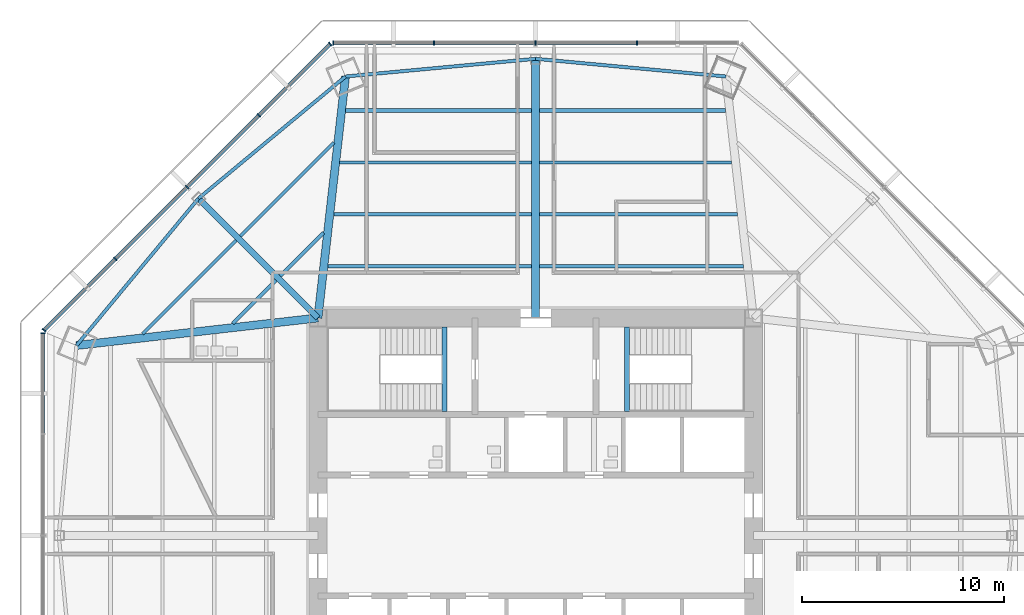
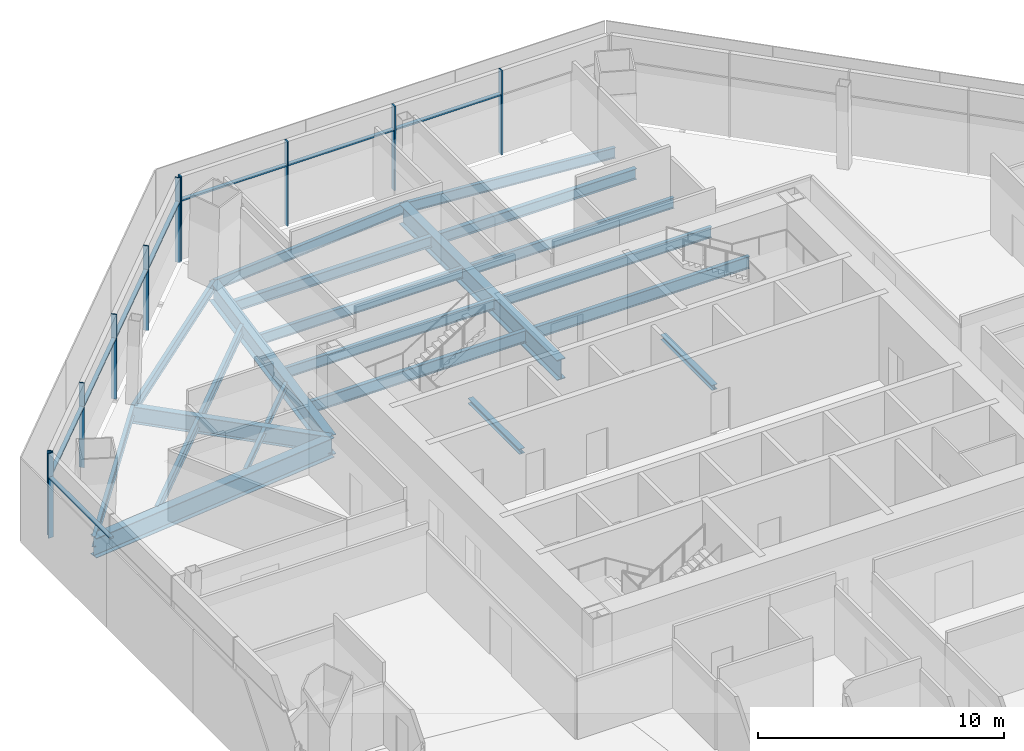
# One storey, part 5 of 15: 22 beams, 18 members, 3 elements without a shape of their own.
"""IFC4 building model written with IfcOpenShell, lengths in metres."""

from ifc_helpers import new_model, si_unit, direction, frame, origin, origin_2d, place, context, subcontext, project, spatial, rectangle, i_section, extrude, source, transform, mapped, material, material_profile, profile_set, type_object, type_shapes, element, aggregate, save


model = new_model("IFC4")

# Units and contexts
model_context = context("Model", 3, precision=1e-05, world=origin(), true_north=direction((0.0, 1.0)))
body_context = subcontext(model_context, "Body", "Model", "MODEL_VIEW")
ifc_project = project(units=[si_unit("LENGTHUNIT", "METRE"), si_unit("AREAUNIT", "SQUARE_METRE"), si_unit("VOLUMEUNIT", "CUBIC_METRE"), si_unit("PLANEANGLEUNIT", "RADIAN"), si_unit("MASSUNIT", "GRAM", prefix="KILO")], contexts=[model_context])

# Site, building, storey
site_placement = place(None, origin())
site = spatial("IfcSite", under=ifc_project, at=site_placement, CompositionType="ELEMENT")
building_placement = place(site_placement, origin())
building = spatial("IfcBuilding", under=site, at=building_placement, Name="Mashrafa Tower", CompositionType="ELEMENT")
storey_placement = place(building_placement, frame((0.0, 0.0, 126.0)))
storey = spatial("IfcBuildingStorey", under=building, at=storey_placement, Name="L28", CompositionType="ELEMENT", Elevation=126.0)

# Beams
ifc_material_1 = material(Name="Steel ASTM A992", Category="steel")
ifc_material_profile_1 = material_profile(ifc_material_1, i_section(OverallWidth=0.164794921875, OverallDepth=0.309814453125, WebThickness=0.005859375, FlangeThickness=0.009765625, FilletRadius=0.007568359375, at=origin_2d()), Name="W12X26")
ifc_profile_set_1 = profile_set([ifc_material_profile_1], Name="Steel ASTM A992")
beam_type_1 = type_object("IfcBeamType", Name="Beam W12X26", PredefinedType="BEAM", material=ifc_profile_set_1)
for number, where, z_axis, x_axis, name in (
    (1, (-15.031494140625, 10.51953125, -0.31982421875), (0.707106781187, 0.707106781187, 0.0), (-0.707106781187, 0.707106781187, 0.0), "Floor beam L28 008"),
    (2, (-12.672119140625, 12.87890625, -0.31982421875), (0.707106781187, 0.707106781187, 0.0), (-0.707106781187, 0.707106781187, 0.0), "Floor beam L28 014"),
):
    element("IfcBeam", number, at=place(storey_placement, frame(where, z_axis=z_axis, x_axis=x_axis)), inside=storey, type_object=beam_type_1, Name=name, PredefinedType="BEAM", context=body_context, shape_type="SweptSolid", body=[
        extrude(i_section(OverallWidth=0.164794921875, OverallDepth=0.309814453125, WebThickness=0.005859375, FlangeThickness=0.009765625, FilletRadius=0.007568359375, at=origin_2d()), origin(), (0.0, 0.0, 1.0), 3.044189453125),
    ])
ifc_material_2 = material(Name="Steel ASTM A992", Category="steel")
ifc_material_profile_2 = material_profile(ifc_material_2, i_section(OverallWidth=0.1650390625, OverallDepth=0.52587890625, WebThickness=0.0087890625, FlangeThickness=0.011474609375, FilletRadius=0.0126953125, at=origin_2d()), Name="W21X44")
ifc_profile_set_2 = profile_set([ifc_material_profile_2], Name="Steel ASTM A992")
beam_type_2 = type_object("IfcBeamType", Name="Beam W21X44", PredefinedType="BEAM", material=ifc_profile_set_2)
for number, where, z_axis, x_axis, name in (
    (3, (-19.4912109375, 10.010986328125, -0.427978515625), (0.707106781187, 0.707106781187, 0.0), (-0.707106781187, 0.707106781187, 0.0), "Floor beam L28 003"),
    (4, (-14.647705078125, 14.8544921875, -0.427978515625), (0.707106781187, 0.707106781187, 0.0), (-0.707106781187, 0.707106781187, 0.0), "Floor beam L28 010"),
):
    element("IfcBeam", number, at=place(storey_placement, frame(where, z_axis=z_axis, x_axis=x_axis)), inside=storey, type_object=beam_type_2, Name=name, PredefinedType="BEAM", context=body_context, shape_type="SweptSolid", body=[
        extrude(i_section(OverallWidth=0.1650390625, OverallDepth=0.52587890625, WebThickness=0.0087890625, FlangeThickness=0.011474609375, FilletRadius=0.0126953125, at=origin_2d()), origin(), (0.0, 0.0, 1.0), 6.557373046875),
    ])
beam_1_placement = place(storey_placement, frame((-10.01171875, 15.94189453125, -0.427978515625), z_axis=(1.0, 0.0, 0.0), x_axis=(0.0, 1.0, 0.0)))
element("IfcBeam", 5, at=beam_1_placement, inside=storey, type_object=beam_type_2, Name="Floor beam L28 017", PredefinedType="BEAM", context=body_context, shape_type="SweptSolid", body=[
    extrude(i_section(OverallWidth=0.1650390625, OverallDepth=0.52587890625, WebThickness=0.0087890625, FlangeThickness=0.011474609375, FilletRadius=0.0126953125, at=origin_2d()), origin(), (0.0, 0.0, 1.0), 9.81103515625),
])
beam_2_placement = place(storey_placement, frame((-9.718505859375, 18.512939453125, -0.427978515625), z_axis=(1.0, 0.0, 0.0), x_axis=(0.0, 1.0, 0.0)))
element("IfcBeam", 6, at=beam_2_placement, inside=storey, type_object=beam_type_2, Name="Floor beam L28 018", PredefinedType="BEAM", context=body_context, shape_type="SweptSolid", body=[
    extrude(i_section(OverallWidth=0.1650390625, OverallDepth=0.52587890625, WebThickness=0.0087890625, FlangeThickness=0.011474609375, FilletRadius=0.0126953125, at=origin_2d()), origin(), (0.0, 0.0, 1.0), 9.517822265625),
])
beam_3_placement = place(storey_placement, frame((0.20068359375, 15.94189453125, -0.427978515625), z_axis=(1.0, 0.0, 0.0), x_axis=(0.0, 1.0, 0.0)))
element("IfcBeam", 7, at=beam_3_placement, inside=storey, type_object=beam_type_2, Name="Floor beam L28 026", PredefinedType="BEAM", context=body_context, shape_type="SweptSolid", body=[
    extrude(i_section(OverallWidth=0.1650390625, OverallDepth=0.52587890625, WebThickness=0.0087890625, FlangeThickness=0.011474609375, FilletRadius=0.0126953125, at=origin_2d()), origin(), (0.0, 0.0, 1.0), 9.81103515625),
])
beam_4_placement = place(storey_placement, frame((0.20068359375, 18.512939453125, -0.427978515625), z_axis=(1.0, 0.0, 0.0), x_axis=(0.0, 1.0, 0.0)))
element("IfcBeam", 8, at=beam_4_placement, inside=storey, type_object=beam_type_2, Name="Floor beam L28 027", PredefinedType="BEAM", context=body_context, shape_type="SweptSolid", body=[
    extrude(i_section(OverallWidth=0.1650390625, OverallDepth=0.52587890625, WebThickness=0.0087890625, FlangeThickness=0.011474609375, FilletRadius=0.0126953125, at=origin_2d()), origin(), (0.0, 0.0, 1.0), 9.517822265625),
])
for number, where, z_axis, x_axis, name in (
    (9, (-16.7265625, 16.7265625, -0.427978515625), (-0.63854065146, -0.769588095303, 0.0), (0.769588095303, -0.63854065146, 0.0), "Spandrel beam L28 069"),
    (10, (-9.4345703125, 22.77685546875, -0.427978515625), (-0.769588095303, -0.63854065146, 0.0), (0.63854065146, -0.769588095303, 0.0), "Spandrel beam L28 071"),
):
    element("IfcBeam", number, at=place(storey_placement, frame(where, z_axis=z_axis, x_axis=x_axis)), inside=storey, type_object=beam_type_2, Name=name, PredefinedType="BEAM", context=body_context, shape_type="SweptSolid", body=[
        extrude(i_section(OverallWidth=0.1650390625, OverallDepth=0.52587890625, WebThickness=0.0087890625, FlangeThickness=0.011474609375, FilletRadius=0.0126953125, at=origin_2d()), origin(), (0.0, 0.0, 1.0), 9.47509765625),
    ])
for number, where, z_axis, x_axis, name in (
    (11, (0.0, 23.655029296875, -0.427978515625), (-0.995695964512, -0.092679804998, 0.0), (0.092679804998, -0.995695964512, 0.0), "Spandrel beam L28 073"),
    (12, (9.4345703125, 22.77685546875, -0.427978515625), (-0.995695964512, 0.092679804998, 0.0), (-0.092679804998, -0.995695964512, 0.0), "Spandrel beam L28 075"),
):
    element("IfcBeam", number, at=place(storey_placement, frame(where, z_axis=z_axis, x_axis=x_axis)), inside=storey, type_object=beam_type_2, Name=name, PredefinedType="BEAM", context=body_context, shape_type="SweptSolid", body=[
        extrude(i_section(OverallWidth=0.1650390625, OverallDepth=0.52587890625, WebThickness=0.0087890625, FlangeThickness=0.011474609375, FilletRadius=0.0126953125, at=origin_2d()), origin(), (0.0, 0.0, 1.0), 9.475341796875),
    ])
ifc_material_3 = material(Name="Steel ASTM A992", Category="steel")
ifc_material_profile_3 = material_profile(ifc_material_3, i_section(OverallWidth=0.209228515625, OverallDepth=0.533447265625, WebThickness=0.01025390625, FlangeThickness=0.015625, FilletRadius=0.012939453125, at=origin_2d()), Name="W21X62")
ifc_profile_set_3 = profile_set([ifc_material_profile_3], Name="Steel ASTM A992")
beam_type_3 = type_object("IfcBeamType", Name="Beam W21X62", PredefinedType="BEAM", material=ifc_profile_set_3)
for number, where, z_axis, x_axis, name in (
    (13, (-9.425537109375, 21.083984375, -0.431640625), (1.0, 0.0, 0.0), (0.0, 1.0, 0.0), "Floor beam L28 020"),
    (14, (0.20068359375, 21.083984375, -0.431640625), (1.0, 0.0, 0.0), (0.0, 1.0, 0.0), "Floor beam L28 028"),
):
    element("IfcBeam", number, at=place(storey_placement, frame(where, z_axis=z_axis, x_axis=x_axis)), inside=storey, type_object=beam_type_3, Name=name, PredefinedType="BEAM", context=body_context, shape_type="SweptSolid", body=[
        extrude(i_section(OverallWidth=0.209228515625, OverallDepth=0.533447265625, WebThickness=0.01025390625, FlangeThickness=0.015625, FilletRadius=0.012939453125, at=origin_2d()), origin(), (0.0, 0.0, 1.0), 9.224853515625),
    ])
ifc_material_4 = material(Name="Steel ASTM A992", Category="steel")
ifc_material_profile_4 = material_profile(ifc_material_4, i_section(OverallWidth=0.177978515625, OverallDepth=0.599365234375, WebThickness=0.010009765625, FlangeThickness=0.012939453125, FilletRadius=0.012939453125, at=origin_2d()), Name="W24X55")
ifc_profile_set_4 = profile_set([ifc_material_profile_4], Name="Steel ASTM A992")
beam_type_4 = type_object("IfcBeamType", Name="Beam W24X55", PredefinedType="BEAM", material=ifc_profile_set_4)
for number, where, z_axis, x_axis, name in (
    (15, (-10.304931640625, 13.37109375, -0.464599609375), (1.0, 0.0, 0.0), (0.0, 1.0, 0.0), "Floor beam L28 015"),
    (16, (0.20068359375, 13.37109375, -0.464599609375), (1.0, 0.0, 0.0), (0.0, 1.0, 0.0), "Floor beam L28 025"),
):
    element("IfcBeam", number, at=place(storey_placement, frame(where, z_axis=z_axis, x_axis=x_axis)), inside=storey, type_object=beam_type_4, Name=name, PredefinedType="BEAM", context=body_context, shape_type="SweptSolid", body=[
        extrude(i_section(OverallWidth=0.177978515625, OverallDepth=0.599365234375, WebThickness=0.010009765625, FlangeThickness=0.012939453125, FilletRadius=0.012939453125, at=origin_2d()), origin(), (0.0, 0.0, 1.0), 10.104248046875),
    ])
ifc_material_5 = material(Name="Steel ASTM A992", Category="steel")
ifc_material_profile_5 = material_profile(ifc_material_5, i_section(OverallWidth=0.2919921875, OverallDepth=0.8408203125, WebThickness=0.0146484375, FlangeThickness=0.021728515625, FilletRadius=0.017333984375, at=origin_2d()), Name="W33X130")
ifc_profile_set_5 = profile_set([ifc_material_profile_5], Name="Steel ASTM A992")
beam_type_5 = type_object("IfcBeamType", Name="Beam W33X130", PredefinedType="BEAM", material=ifc_profile_set_5)
beam_5_placement = place(storey_placement, frame((-10.800048828125, 10.800048828125, -0.58544921875), z_axis=(-0.707106781187, 0.707106781187, 0.0), x_axis=(-0.707106781187, -0.707106781187, 0.0)))
element("IfcBeam", 17, at=beam_5_placement, inside=storey, type_object=beam_type_5, Name="Radial girder L28 054", PredefinedType="BEAM", context=body_context, shape_type="SweptSolid", body=[
    extrude(i_section(OverallWidth=0.2919921875, OverallDepth=0.8408203125, WebThickness=0.0146484375, FlangeThickness=0.021728515625, FilletRadius=0.017333984375, at=origin_2d()), origin(), (0.0, 0.0, 1.0), 8.38134765625),
])
ifc_material_6 = material(Name="Steel ASTM A992", Category="steel")
ifc_material_profile_6 = material_profile(ifc_material_6, i_section(OverallWidth=0.4013671875, OverallDepth=0.98291015625, WebThickness=0.0166015625, FlangeThickness=0.027099609375, FilletRadius=0.0126953125, at=origin_2d()), Name="W40X199")
ifc_profile_set_6 = profile_set([ifc_material_profile_6], Name="Steel ASTM A992")
beam_type_6 = type_object("IfcBeamType", Name="Beam W40X199", PredefinedType="BEAM", material=ifc_profile_set_6)
for number, where, z_axis, x_axis, name in (
    (18, (-10.800048828125, 10.800048828125, -0.656494140625), (-0.993563513553, -0.113276407675, 0.0), (0.113276407675, -0.993563513553, 0.0), "Radial girder L28 053"),
    (19, (-10.800048828125, 10.800048828125, -0.656494140625), (0.113276407675, 0.993563513553, 0.0), (-0.993563513553, 0.113276407675, 0.0), "Radial girder L28 055"),
):
    element("IfcBeam", number, at=place(storey_placement, frame(where, z_axis=z_axis, x_axis=x_axis)), inside=storey, type_object=beam_type_6, Name=name, PredefinedType="BEAM", context=body_context, shape_type="SweptSolid", body=[
        extrude(i_section(OverallWidth=0.4013671875, OverallDepth=0.98291015625, WebThickness=0.0166015625, FlangeThickness=0.027099609375, FilletRadius=0.0126953125, at=origin_2d()), origin(), (0.0, 0.0, 1.0), 12.054443359375),
    ])
ifc_material_7 = material(Name="Steel ASTM A992", Category="steel")
ifc_material_profile_7 = material_profile(ifc_material_7, i_section(OverallWidth=0.4013671875, OverallDepth=1.010986328125, WebThickness=0.023681640625, FlangeThickness=0.0419921875, FilletRadius=0.02001953125, at=origin_2d()), Name="W40X297")
ifc_profile_set_7 = profile_set([ifc_material_profile_7], Name="Steel ASTM A992")
beam_type_7 = type_object("IfcBeamType", Name="Beam W40X297", PredefinedType="BEAM", material=ifc_profile_set_7)
beam_6_placement = place(storey_placement, frame((0.0, 10.800048828125, -0.67041015625), z_axis=(0.0, 1.0, 0.0), x_axis=(-1.0, 0.0, 0.0)))
element("IfcBeam", 20, at=beam_6_placement, inside=storey, type_object=beam_type_7, Name="Radial girder L28 057", PredefinedType="BEAM", context=body_context, shape_type="SweptSolid", body=[
    extrude(i_section(OverallWidth=0.4013671875, OverallDepth=1.010986328125, WebThickness=0.023681640625, FlangeThickness=0.0419921875, FilletRadius=0.02001953125, at=origin_2d()), origin(), (0.0, 0.0, 1.0), 12.85498046875),
])
ifc_material_8 = material(Name="Steel ASTM A992", Category="steel")
ifc_material_profile_8 = material_profile(ifc_material_8, i_section(OverallWidth=0.25390625, OverallDepth=0.25390625, WebThickness=0.008544921875, FlangeThickness=0.01416015625, FilletRadius=0.010009765625, at=origin_2d()), Name="W10X49")
ifc_profile_set_8 = profile_set([ifc_material_profile_8], Name="Steel ASTM A992")
beam_type_8 = type_object("IfcBeamType", Name="Hoistway beam W10X49", PredefinedType="BEAM", material=ifc_profile_set_8)
for number, where, z_axis, x_axis, name in (
    (21, (-4.530029296875, 6.14990234375, -0.326904296875), (0.0, 1.0, 0.0), (-1.0, 0.0, 0.0), "Stair S1 landing beam L28"),
    (22, (4.530029296875, 6.14990234375, -0.326904296875), (0.0, 1.0, 0.0), (-1.0, 0.0, 0.0), "Stair S2 landing beam L28"),
):
    element("IfcBeam", number, at=place(storey_placement, frame(where, z_axis=z_axis, x_axis=x_axis)), inside=storey, type_object=beam_type_8, Name=name, PredefinedType="BEAM", context=body_context, shape_type="SweptSolid", body=[
        extrude(i_section(OverallWidth=0.25390625, OverallDepth=0.25390625, WebThickness=0.008544921875, FlangeThickness=0.01416015625, FilletRadius=0.010009765625, at=origin_2d()), origin(), (0.0, 0.0, 1.0), 4.2001953125),
    ])

# Curtain wall, members
ifc_material_9 = material(Name="Unitised aluminium curtain wall", Category="aluminium")
curtain_wall_type = type_object("IfcCurtainWallType", Name="Office curtain wall, zone 2 CW-B 225 deep", PredefinedType="NOTDEFINED", material=ifc_material_9)
curtain_wall_1_placement = place(storey_placement, origin())
curtain_wall_1 = element("IfcCurtainWall", 23, at=curtain_wall_1_placement, inside=storey, type_object=curtain_wall_type, Name="Office curtain wall, zone 2 L28 north", PredefinedType="NOTDEFINED")
ifc_material_10 = material(Name="Extruded aluminium mullion", Category="aluminium")
ifc_material_profile_9 = material_profile(ifc_material_10, rectangle(XDim=0.22509765625, YDim=0.06494140625, at=origin_2d()), Name="Mullion 65x225")
ifc_profile_set_9 = profile_set([ifc_material_profile_9], Name="Extruded aluminium mullion")
member_type_1 = type_object("IfcMemberType", Name="Mullion CW-B 65 x 225", PredefinedType="MULLION", material=ifc_profile_set_9)
shared_shape_1 = source(origin(), body_context, "Body", "SweptSolid", [
    extrude(rectangle(XDim=0.22509765625, YDim=0.06494140625, at=origin_2d()), origin(), (0.0, 0.0, 1.0), 4.199951171875),
])
type_shapes(member_type_1, [shared_shape_1])
member_1_placement = place(storey_placement, frame((5.03564453125, 24.450439453125, 0.0), z_axis=(0.0, 0.0, 1.0), x_axis=(0.0, -1.0, 0.0)))
member_1 = element("IfcMember", 24, at=member_1_placement, type_object=member_type_1, Name="CW-B mullion 2", PredefinedType="MULLION", context=body_context, shape_type="MappedRepresentation", body=[
    mapped(shared_shape_1, transform((0.0, 0.0, 0.0))),
])
member_2_placement = place(storey_placement, frame((0.0, 24.450439453125, 0.0), z_axis=(0.0, 0.0, 1.0), x_axis=(0.0, -1.0, 0.0)))
member_2 = element("IfcMember", 25, at=member_2_placement, type_object=member_type_1, Name="CW-B mullion 3", PredefinedType="MULLION", context=body_context, shape_type="MappedRepresentation", body=[
    mapped(shared_shape_1, transform((0.0, 0.0, 0.0))),
])
member_3_placement = place(storey_placement, frame((-5.03564453125, 24.450439453125, 0.0), z_axis=(0.0, 0.0, 1.0), x_axis=(0.0, -1.0, 0.0)))
member_3 = element("IfcMember", 26, at=member_3_placement, type_object=member_type_1, Name="CW-B mullion 4", PredefinedType="MULLION", context=body_context, shape_type="MappedRepresentation", body=[
    mapped(shared_shape_1, transform((0.0, 0.0, 0.0))),
])
member_4_placement = place(storey_placement, frame((-10.03857421875, 24.450439453125, 0.0), z_axis=(0.0, 0.0, 1.0), x_axis=(0.0, -1.0, 0.0)))
member_4 = element("IfcMember", 27, at=member_4_placement, type_object=member_type_1, Name="CW-B mullion 5", PredefinedType="MULLION", context=body_context, shape_type="MappedRepresentation", body=[
    mapped(shared_shape_1, transform((0.0, 0.0, 0.0))),
])

curtain_wall_2_placement = place(storey_placement, origin())
curtain_wall_2 = element("IfcCurtainWall", 28, at=curtain_wall_2_placement, inside=storey, type_object=curtain_wall_type, Name="Office curtain wall, zone 2 L28 north-west", PredefinedType="NOTDEFINED")
member_5_placement = place(storey_placement, frame((-10.190673828125, 24.387451171875, 0.0), z_axis=(0.0, 0.0, 1.0), x_axis=(0.707106781187, -0.707106781187, 0.0)))
member_5 = element("IfcMember", 29, at=member_5_placement, type_object=member_type_1, Name="CW-B mullion 1", PredefinedType="MULLION", context=body_context, shape_type="MappedRepresentation", body=[
    mapped(shared_shape_1, transform((0.0, 0.0, 0.0))),
])
member_6_placement = place(storey_placement, frame((-13.728271484375, 20.849609375, 0.0), z_axis=(0.0, 0.0, 1.0), x_axis=(0.707106781187, -0.707106781187, 0.0)))
member_6 = element("IfcMember", 30, at=member_6_placement, type_object=member_type_1, Name="CW-B mullion 2", PredefinedType="MULLION", context=body_context, shape_type="MappedRepresentation", body=[
    mapped(shared_shape_1, transform((0.0, 0.0, 0.0))),
])
member_7_placement = place(storey_placement, frame((-17.2890625, 17.2890625, 0.0), z_axis=(0.0, 0.0, 1.0), x_axis=(0.707106781187, -0.707106781187, 0.0)))
member_7 = element("IfcMember", 31, at=member_7_placement, type_object=member_type_1, Name="CW-B mullion 3", PredefinedType="MULLION", context=body_context, shape_type="MappedRepresentation", body=[
    mapped(shared_shape_1, transform((0.0, 0.0, 0.0))),
])
member_8_placement = place(storey_placement, frame((-20.849609375, 13.728271484375, 0.0), z_axis=(0.0, 0.0, 1.0), x_axis=(0.707106781187, -0.707106781187, 0.0)))
member_8 = element("IfcMember", 32, at=member_8_placement, type_object=member_type_1, Name="CW-B mullion 4", PredefinedType="MULLION", context=body_context, shape_type="MappedRepresentation", body=[
    mapped(shared_shape_1, transform((0.0, 0.0, 0.0))),
])
member_9_placement = place(storey_placement, frame((-24.387451171875, 10.190673828125, 0.0), z_axis=(0.0, 0.0, 1.0), x_axis=(0.707106781187, -0.707106781187, 0.0)))
member_9 = element("IfcMember", 33, at=member_9_placement, type_object=member_type_1, Name="CW-B mullion 5", PredefinedType="MULLION", context=body_context, shape_type="MappedRepresentation", body=[
    mapped(shared_shape_1, transform((0.0, 0.0, 0.0))),
])

# Curtain wall, member
curtain_wall_3_placement = place(storey_placement, origin())
curtain_wall_3 = element("IfcCurtainWall", 34, at=curtain_wall_3_placement, inside=storey, type_object=curtain_wall_type, Name="Office curtain wall, zone 2 L28 west", PredefinedType="NOTDEFINED")
member_10_placement = place(storey_placement, frame((-24.450439453125, 10.03857421875, 0.0), z_axis=(0.0, 0.0, 1.0), x_axis=(1.0, 0.0, 0.0)))
member_10 = element("IfcMember", 35, at=member_10_placement, type_object=member_type_1, Name="CW-B mullion 1", PredefinedType="MULLION", context=body_context, shape_type="MappedRepresentation", body=[
    mapped(shared_shape_1, transform((0.0, 0.0, 0.0))),
])

# Member
ifc_material_11 = material(Name="Extruded aluminium transom", Category="aluminium")
ifc_material_profile_10 = material_profile(ifc_material_11, rectangle(XDim=0.179931640625, YDim=0.080078125, at=origin_2d()), Name="Transom 80x180")
ifc_profile_set_10 = profile_set([ifc_material_profile_10], Name="Extruded aluminium transom")
member_type_2 = type_object("IfcMemberType", Name="Transom CW-B 80 x 180", PredefinedType="MULLION", material=ifc_profile_set_10)
shared_shape_2 = source(origin(), body_context, "Body", "SweptSolid", [
    extrude(rectangle(XDim=0.179931640625, YDim=0.080078125, at=origin_2d()), origin(), (0.0, 0.0, 1.0), 4.93798828125),
])
member_11_placement = place(storey_placement, frame((-5.068115234375, 24.450439453125, 3.0), z_axis=(-1.0, 0.0, 0.0), x_axis=(0.0, -1.0, 0.0)))
member_11 = element("IfcMember", 36, at=member_11_placement, type_object=member_type_2, Name="CW-B transom 4", PredefinedType="MULLION", context=body_context, shape_type="MappedRepresentation", body=[
    mapped(shared_shape_2, transform((0.0, 0.0, 0.0))),
])

member_12_placement = place(storey_placement, frame((-10.213623046875, 24.3642578125, 3.0), z_axis=(-0.707106781187, -0.707106781187, 0.0), x_axis=(0.707106781187, -0.707106781187, 0.0)))
member_12 = element("IfcMember", 37, at=member_12_placement, type_object=member_type_2, Name="CW-B transom 1", PredefinedType="MULLION", context=body_context, shape_type="MappedRepresentation", body=[
    mapped(shared_shape_2, transform((0.0, 0.0, 0.0))),
])

member_13_placement = place(storey_placement, frame((-20.87255859375, 13.705322265625, 3.0), z_axis=(-0.707106781187, -0.707106781187, 0.0), x_axis=(0.707106781187, -0.707106781187, 0.0)))
member_13 = element("IfcMember", 38, at=member_13_placement, type_object=member_type_2, Name="CW-B transom 4", PredefinedType="MULLION", context=body_context, shape_type="MappedRepresentation", body=[
    mapped(shared_shape_2, transform((0.0, 0.0, 0.0))),
])

member_14_placement = place(storey_placement, frame((-24.450439453125, 10.006103515625, 3.0), z_axis=(0.0, -1.0, 0.0), x_axis=(1.0, 0.0, 0.0)))
member_14 = element("IfcMember", 39, at=member_14_placement, type_object=member_type_2, Name="CW-B transom 1", PredefinedType="MULLION", context=body_context, shape_type="MappedRepresentation", body=[
    mapped(shared_shape_2, transform((0.0, 0.0, 0.0))),
])

aggregate(curtain_wall_3, [member_10, member_14])

shared_shape_3 = source(origin(), body_context, "Body", "SweptSolid", [
    extrude(rectangle(XDim=0.179931640625, YDim=0.080078125, at=origin_2d()), origin(), (0.0, 0.0, 1.0), 4.970458984375),
])
member_15_placement = place(storey_placement, frame((5.0029296875, 24.450439453125, 3.0), z_axis=(-1.0, 0.0, 0.0), x_axis=(0.0, -1.0, 0.0)))
member_15 = element("IfcMember", 40, at=member_15_placement, type_object=member_type_2, Name="CW-B transom 2", PredefinedType="MULLION", context=body_context, shape_type="MappedRepresentation", body=[
    mapped(shared_shape_3, transform((0.0, 0.0, 0.0))),
])

member_16_placement = place(storey_placement, frame((-0.032470703125, 24.450439453125, 3.0), z_axis=(-1.0, 0.0, 0.0), x_axis=(0.0, -1.0, 0.0)))
member_16 = element("IfcMember", 41, at=member_16_placement, type_object=member_type_2, Name="CW-B transom 3", PredefinedType="MULLION", context=body_context, shape_type="MappedRepresentation", body=[
    mapped(shared_shape_3, transform((0.0, 0.0, 0.0))),
])

aggregate(curtain_wall_1, [member_1, member_2, member_3, member_4, member_15, member_16, member_11])

shared_shape_4 = source(origin(), body_context, "Body", "SweptSolid", [
    extrude(rectangle(XDim=0.179931640625, YDim=0.080078125, at=origin_2d()), origin(), (0.0, 0.0, 1.0), 4.970703125),
])
type_shapes(member_type_2, [shared_shape_2, shared_shape_3, shared_shape_4])
member_17_placement = place(storey_placement, frame((-13.751220703125, 20.82666015625, 3.0), z_axis=(-0.707131339048, -0.707082222472, 0.0), x_axis=(0.707082222472, -0.707131339048, 0.0)))
member_17 = element("IfcMember", 42, at=member_17_placement, type_object=member_type_2, Name="CW-B transom 2", PredefinedType="MULLION", context=body_context, shape_type="MappedRepresentation", body=[
    mapped(shared_shape_4, transform((0.0, 0.0, 0.0))),
])

member_18_placement = place(storey_placement, frame((-17.31201171875, 17.26611328125, 3.0), z_axis=(-0.707082222472, -0.707131339048, 0.0), x_axis=(0.707131339048, -0.707082222472, 0.0)))
member_18 = element("IfcMember", 43, at=member_18_placement, type_object=member_type_2, Name="CW-B transom 3", PredefinedType="MULLION", context=body_context, shape_type="MappedRepresentation", body=[
    mapped(shared_shape_4, transform((0.0, 0.0, 0.0))),
])

aggregate(curtain_wall_2, [member_5, member_6, member_7, member_8, member_9, member_12, member_17, member_18, member_13])

save(model, "model.ifc")
